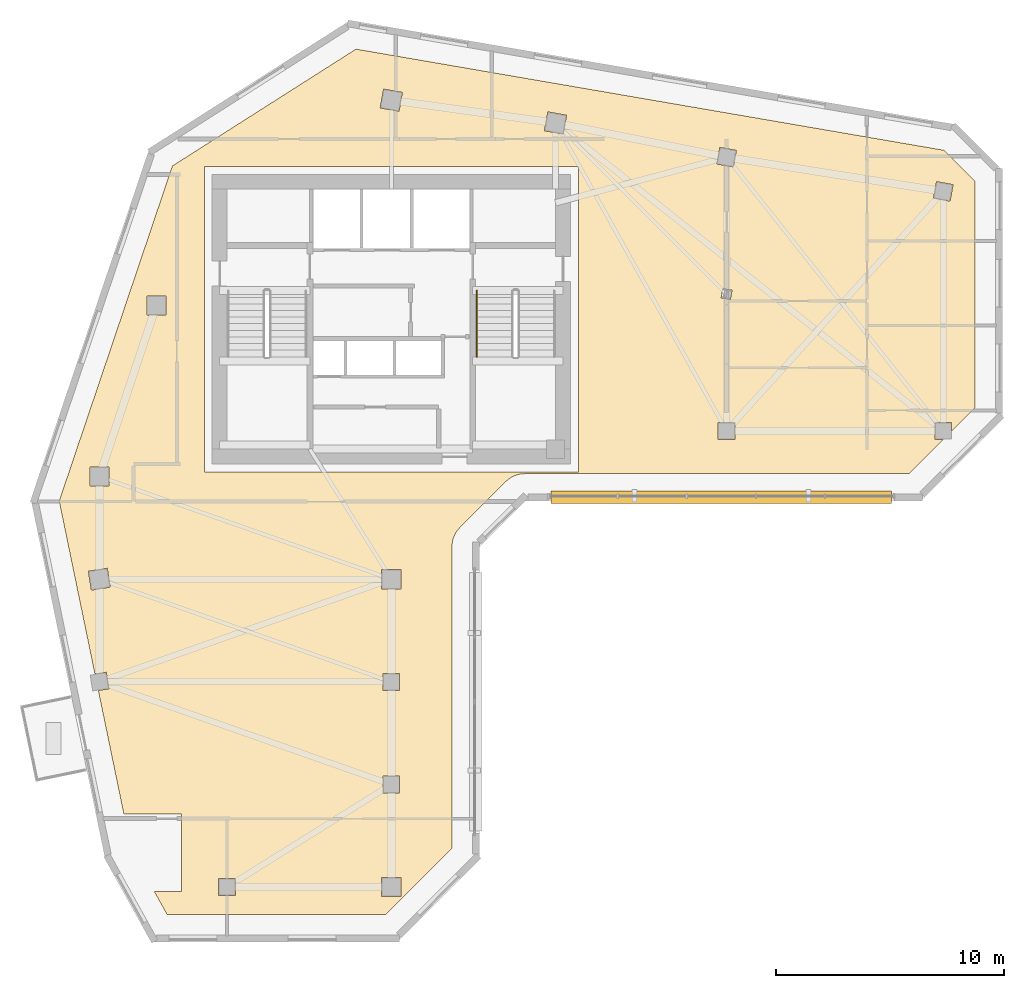
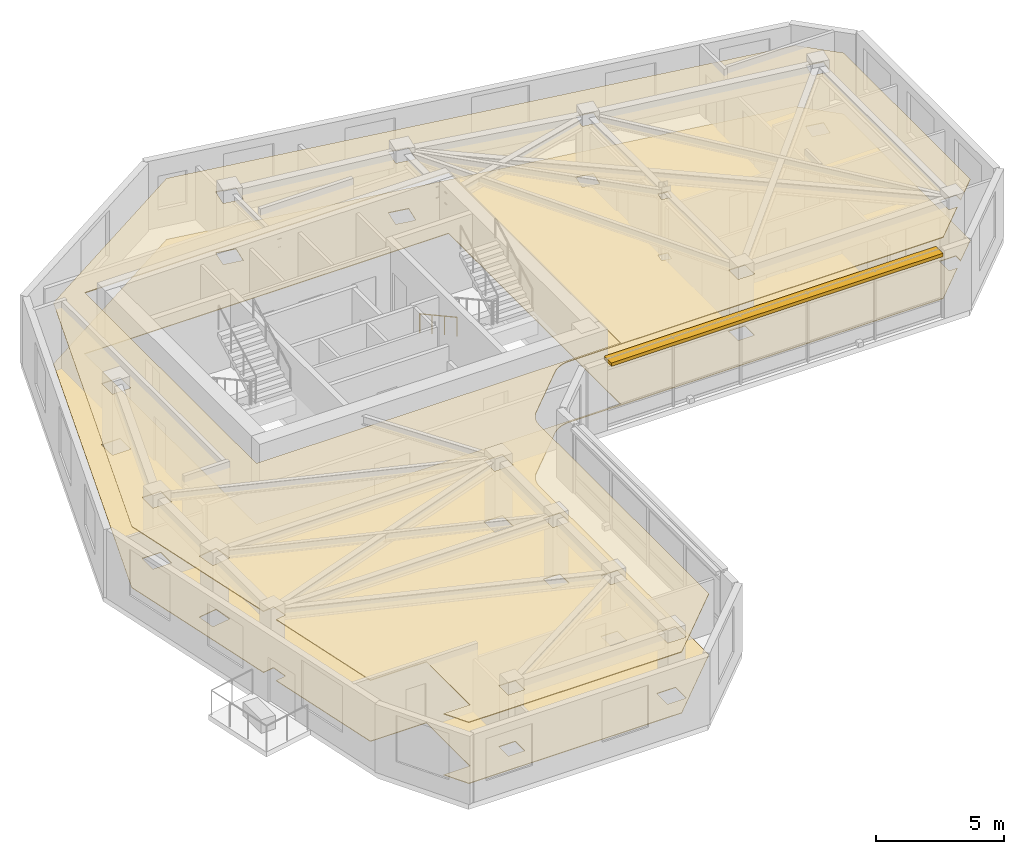
# One storey, part 9 of 10: 2 coverings, 1 railing, 1 shading device.
"""IFC4 building model written with IfcOpenShell, lengths in metres."""

from ifc_helpers import new_model, si_unit, direction, frame, frame_2d, origin, origin_2d, place, context, subcontext, project, spatial, polyline, rectangle, circle, outline, extrude, material, layer, layer_set, type_object, element, save


model = new_model("IFC4")

# Units and contexts
model_context = context("Model", 3, precision=1e-05, world=origin(), true_north=direction((0.0, 1.0)))
body_context = subcontext(model_context, "Body", "Model", "MODEL_VIEW")
ifc_project = project(units=[si_unit("LENGTHUNIT", "METRE"), si_unit("AREAUNIT", "SQUARE_METRE"), si_unit("VOLUMEUNIT", "CUBIC_METRE"), si_unit("PLANEANGLEUNIT", "RADIAN"), si_unit("MASSUNIT", "GRAM", prefix="KILO")], contexts=[model_context])

# Site, building, storey
site_placement = place(None, origin())
site = spatial("IfcSite", under=ifc_project, at=site_placement, CompositionType="ELEMENT")
building_placement = place(site_placement, origin())
building = spatial("IfcBuilding", under=site, at=building_placement, Name="Calvemar Wedge Station Tower", CompositionType="ELEMENT")
storey_placement = place(building_placement, frame((0.0, 0.0, 204.39990234375)))
storey = spatial("IfcBuildingStorey", under=building, at=storey_placement, Name="L51", CompositionType="ELEMENT", Elevation=204.39990234375)

# Coverings
ifc_material_1 = material(Name="Acoustic mineral fibre ceiling board")
ifc_layer_1 = layer(ifc_material_1, 0.0400390625)
ifc_layer_set_1 = layer_set([ifc_layer_1], Name="Acoustic mineral fibre ceiling board")
covering_type_1 = type_object("IfcCoveringType", Name="COV-CEIL-ACOUSTIC", PredefinedType="CEILING", material=ifc_layer_set_1)
covering_1_placement = place(storey_placement, frame((0.0, 0.0, 2.900146484375)))
element("IfcCovering", 1, at=covering_1_placement, inside=storey, type_object=covering_type_1, Name="Storey L51 Acoustic Suspended Ceiling", PredefinedType="CEILING", context=body_context, shape_type="SweptSolid", body=[
    extrude(outline(polyline([(26.8154296875, 30.7724609375), (28.8154296875, 32.7724609375), (28.902587890625, 32.8515625), (28.997314453125, 32.921875), (29.098388671875, 32.982421875), (29.204833984375, 33.03271484375), (29.315673828125, 33.072265625), (29.429931640625, 33.100830078125), (29.54638671875, 33.1181640625), (29.6640625, 33.1240234375), (46.5029296875, 33.1240234375), (48.0087890625, 34.6298828125), (47.6298828125, 34.6298828125), (47.6298828125, 35.3701171875), (48.3701171875, 35.3701171875), (48.3701171875, 34.9912109375), (49.39990234375, 36.02099609375), (49.39990234375, 45.927001953125), (48.02099609375, 47.305908203125), (22.25341796875, 51.73876953125), (14.201416015625, 46.614990234375), (9.240966796875, 31.92431640625), (10.806884765625, 24.34375), (11.306884765625, 24.423828125), (11.423828125, 23.693115234375), (10.956787109375, 23.618408203125), (12.076171875, 18.199951171875), (14.60009765625, 18.199951171875), (14.60009765625, 14.800048828125), (13.41455078125, 14.800048828125), (13.97021484375, 13.800048828125), (23.56689453125, 13.800048828125), (26.464111328125, 16.697021484375), (26.464111328125, 29.924072265625), (26.4697265625, 30.04150390625), (26.487060546875, 30.158203125), (26.515625, 30.272216796875), (26.555419921875, 30.38330078125), (26.605712890625, 30.48974609375), (26.666259765625, 30.5908203125), (26.736328125, 30.685302734375), (26.8154296875, 30.7724609375)]), holes=[polyline([(15.60009765625, 46.60009765625), (32.0, 46.60009765625), (32.0, 33.199951171875), (15.60009765625, 33.199951171875), (15.60009765625, 46.60009765625)]), polyline([(10.580078125, 32.580078125), (10.580078125, 33.419921875), (11.419921875, 33.419921875), (11.419921875, 32.580078125), (10.580078125, 32.580078125)]), polyline([(13.080078125, 40.919921875), (13.919921875, 40.919921875), (13.919921875, 40.080078125), (13.080078125, 40.080078125), (13.080078125, 40.919921875)]), polyline([(24.28759765625, 49.839111328125), (24.138916015625, 49.01220703125), (23.312255859375, 49.160888671875), (23.4609375, 49.98779296875), (24.28759765625, 49.839111328125)]), polyline([(31.339111328125, 48.01220703125), (30.51220703125, 48.160888671875), (30.660888671875, 48.98779296875), (31.48779296875, 48.839111328125), (31.339111328125, 48.01220703125)]), polyline([(38.0703125, 46.701416015625), (38.201416015625, 47.4296875), (38.9296875, 47.298583984375), (38.798583984375, 46.5703125), (38.0703125, 46.701416015625)]), polyline([(47.701416015625, 45.9296875), (48.4296875, 45.798583984375), (48.298583984375, 45.0703125), (47.5703125, 45.201416015625), (47.701416015625, 45.9296875)]), polyline([(38.8701171875, 35.3701171875), (38.8701171875, 34.6298828125), (38.1298828125, 34.6298828125), (38.1298828125, 35.3701171875), (38.8701171875, 35.3701171875)]), polyline([(38.259765625, 40.833984375), (38.332763671875, 41.239501953125), (38.740234375, 41.166015625), (38.667236328125, 40.760498046875), (38.259765625, 40.833984375)]), polyline([(11.348388671875, 28.981201171875), (11.481201171875, 28.151611328125), (10.651611328125, 28.018798828125), (10.518798828125, 28.848388671875), (11.348388671875, 28.981201171875)]), polyline([(24.219970703125, 28.080078125), (23.3798828125, 28.080078125), (23.3798828125, 28.919921875), (24.219970703125, 28.919921875), (24.219970703125, 28.080078125)]), polyline([(23.429931640625, 23.6298828125), (23.429931640625, 24.3701171875), (24.169921875, 24.3701171875), (24.169921875, 23.6298828125), (23.429931640625, 23.6298828125)]), polyline([(23.429931640625, 19.8701171875), (24.169921875, 19.8701171875), (24.169921875, 19.1298828125), (23.429931640625, 19.1298828125), (23.429931640625, 19.8701171875)]), polyline([(24.219970703125, 15.419921875), (24.219970703125, 14.580078125), (23.3798828125, 14.580078125), (23.3798828125, 15.419921875), (24.219970703125, 15.419921875)]), polyline([(16.969970703125, 14.6298828125), (16.22998046875, 14.6298828125), (16.22998046875, 15.3701171875), (16.969970703125, 15.3701171875), (16.969970703125, 14.6298828125)])]), origin(), (0.0, 0.0, 1.0), 0.0400390625),
])
ifc_material_2 = material(Name="Honed coastal granite stone tile", Category="masonry")
ifc_layer_2 = layer(ifc_material_2, 0.030029296875)
ifc_layer_set_2 = layer_set([ifc_layer_2], Name="Honed coastal granite stone tile")
covering_type_2 = type_object("IfcCoveringType", Name="COV-FLR-STONE", PredefinedType="FLOORING", material=ifc_layer_set_2)
covering_2_placement = place(storey_placement, origin())
element("IfcCovering", 2, at=covering_2_placement, inside=storey, type_object=covering_type_2, Name="Storey L51 Architectural Floor Finish", PredefinedType="FLOORING", context=body_context, shape_type="SweptSolid", body=[
    extrude(outline(polyline([(26.8154296875, 30.7724609375), (28.8154296875, 32.7724609375), (28.902587890625, 32.8515625), (28.997314453125, 32.921875), (29.098388671875, 32.982421875), (29.204833984375, 33.03271484375), (29.315673828125, 33.072265625), (29.429931640625, 33.100830078125), (29.54638671875, 33.1181640625), (29.6640625, 33.1240234375), (46.5029296875, 33.1240234375), (48.0087890625, 34.6298828125), (47.6298828125, 34.6298828125), (47.6298828125, 35.3701171875), (48.3701171875, 35.3701171875), (48.3701171875, 34.9912109375), (49.39990234375, 36.02099609375), (49.39990234375, 45.927001953125), (48.02099609375, 47.305908203125), (22.25341796875, 51.73876953125), (14.201416015625, 46.614990234375), (9.240966796875, 31.92431640625), (10.806884765625, 24.34375), (11.306884765625, 24.423828125), (11.423828125, 23.693115234375), (10.956787109375, 23.618408203125), (12.076171875, 18.199951171875), (14.60009765625, 18.199951171875), (14.60009765625, 14.800048828125), (13.41455078125, 14.800048828125), (13.97021484375, 13.800048828125), (23.56689453125, 13.800048828125), (26.464111328125, 16.697021484375), (26.464111328125, 29.924072265625), (26.4697265625, 30.04150390625), (26.487060546875, 30.158203125), (26.515625, 30.272216796875), (26.555419921875, 30.38330078125), (26.605712890625, 30.48974609375), (26.666259765625, 30.5908203125), (26.736328125, 30.685302734375), (26.8154296875, 30.7724609375)]), holes=[polyline([(15.60009765625, 46.60009765625), (32.0, 46.60009765625), (32.0, 33.199951171875), (15.60009765625, 33.199951171875), (15.60009765625, 46.60009765625)]), polyline([(10.580078125, 32.580078125), (10.580078125, 33.419921875), (11.419921875, 33.419921875), (11.419921875, 32.580078125), (10.580078125, 32.580078125)]), polyline([(13.080078125, 40.919921875), (13.919921875, 40.919921875), (13.919921875, 40.080078125), (13.080078125, 40.080078125), (13.080078125, 40.919921875)]), polyline([(24.28759765625, 49.839111328125), (24.138916015625, 49.01220703125), (23.312255859375, 49.160888671875), (23.4609375, 49.98779296875), (24.28759765625, 49.839111328125)]), polyline([(31.339111328125, 48.01220703125), (30.51220703125, 48.160888671875), (30.660888671875, 48.98779296875), (31.48779296875, 48.839111328125), (31.339111328125, 48.01220703125)]), polyline([(38.0703125, 46.701416015625), (38.201416015625, 47.4296875), (38.9296875, 47.298583984375), (38.798583984375, 46.5703125), (38.0703125, 46.701416015625)]), polyline([(47.701416015625, 45.9296875), (48.4296875, 45.798583984375), (48.298583984375, 45.0703125), (47.5703125, 45.201416015625), (47.701416015625, 45.9296875)]), polyline([(38.8701171875, 35.3701171875), (38.8701171875, 34.6298828125), (38.1298828125, 34.6298828125), (38.1298828125, 35.3701171875), (38.8701171875, 35.3701171875)]), polyline([(38.259765625, 40.833984375), (38.332763671875, 41.239501953125), (38.740234375, 41.166015625), (38.667236328125, 40.760498046875), (38.259765625, 40.833984375)]), polyline([(11.348388671875, 28.981201171875), (11.481201171875, 28.151611328125), (10.651611328125, 28.018798828125), (10.518798828125, 28.848388671875), (11.348388671875, 28.981201171875)]), polyline([(24.219970703125, 28.080078125), (23.3798828125, 28.080078125), (23.3798828125, 28.919921875), (24.219970703125, 28.919921875), (24.219970703125, 28.080078125)]), polyline([(23.429931640625, 23.6298828125), (23.429931640625, 24.3701171875), (24.169921875, 24.3701171875), (24.169921875, 23.6298828125), (23.429931640625, 23.6298828125)]), polyline([(23.429931640625, 19.8701171875), (24.169921875, 19.8701171875), (24.169921875, 19.1298828125), (23.429931640625, 19.1298828125), (23.429931640625, 19.8701171875)]), polyline([(24.219970703125, 15.419921875), (24.219970703125, 14.580078125), (23.3798828125, 14.580078125), (23.3798828125, 15.419921875), (24.219970703125, 15.419921875)]), polyline([(16.969970703125, 14.6298828125), (16.22998046875, 14.6298828125), (16.22998046875, 15.3701171875), (16.969970703125, 15.3701171875), (16.969970703125, 14.6298828125)])]), origin(), (0.0, 0.0, 1.0), 0.030029296875),
])

# Railing
ifc_material_3 = material(Name="Stainless steel AISI 316L", Category="steel")
railing_type = type_object("IfcRailingType", Name="RL-HANDRAIL-920", PredefinedType="HANDRAIL", material=ifc_material_3)
railing_placement = place(storey_placement, frame((27.550048828125, 41.14990234375, 0.1591796875)))
element("IfcRailing", 3, at=railing_placement, inside=storey, type_object=railing_type, Name="L51 ST-C2 stair handrail 1", PredefinedType="HANDRAIL", context=body_context, shape_type="SweptSolid", body=[
    extrude(circle(Radius=0.02392578125, at=origin_2d()), frame((0.0, 0.0, 0.89599609375), z_axis=(0.0, -0.876742130028, 0.480960744171), x_axis=(1.0, 0.0, 0.0)), (0.0, 0.0, 1.0), 3.3076171875),
    extrude(circle(Radius=0.02099609375, at=origin_2d()), origin(), (0.0, 0.0, 1.0), 0.871826171875),
    extrude(circle(Radius=0.02099609375, at=origin_2d()), frame((0.0, -0.966552734375, 0.5302734375)), (0.0, 0.0, 1.0), 0.871826171875),
    extrude(circle(Radius=0.02099609375, at=origin_2d()), frame((0.0, -1.933349609375, 1.060546875)), (0.0, 0.0, 1.0), 0.871826171875),
    extrude(circle(Radius=0.02099609375, at=origin_2d()), frame((0.0, -2.89990234375, 1.5908203125)), (0.0, 0.0, 1.0), 0.871826171875),
])

# Shading device
ifc_material_4 = material(Name="Precast concrete C45", Category="concrete")
shading_device_type = type_object("IfcShadingDeviceType", Name="SHD-EYEBROW-1", PredefinedType="SHUTTER", material=ifc_material_4)
shading_device_placement = place(storey_placement, frame((30.802001953125, 32.093994140625, 3.070068359375), z_axis=(0.0, 0.0, 1.0), x_axis=(1.0, 0.0, 0.0)))
element("IfcShadingDevice", 4, at=shading_device_placement, inside=storey, type_object=shading_device_type, Name="Storey L51 Bronze GFRC Solar Eyebrow 6", PredefinedType="SHUTTER", context=body_context, shape_type="SweptSolid", body=[
    extrude(rectangle(XDim=14.935791015625, YDim=0.550048828125, at=frame_2d((7.4677734375, 0.0))), origin(), (0.0, 0.0, 1.0), 0.159912109375),
])

save(model, "model.ifc")
